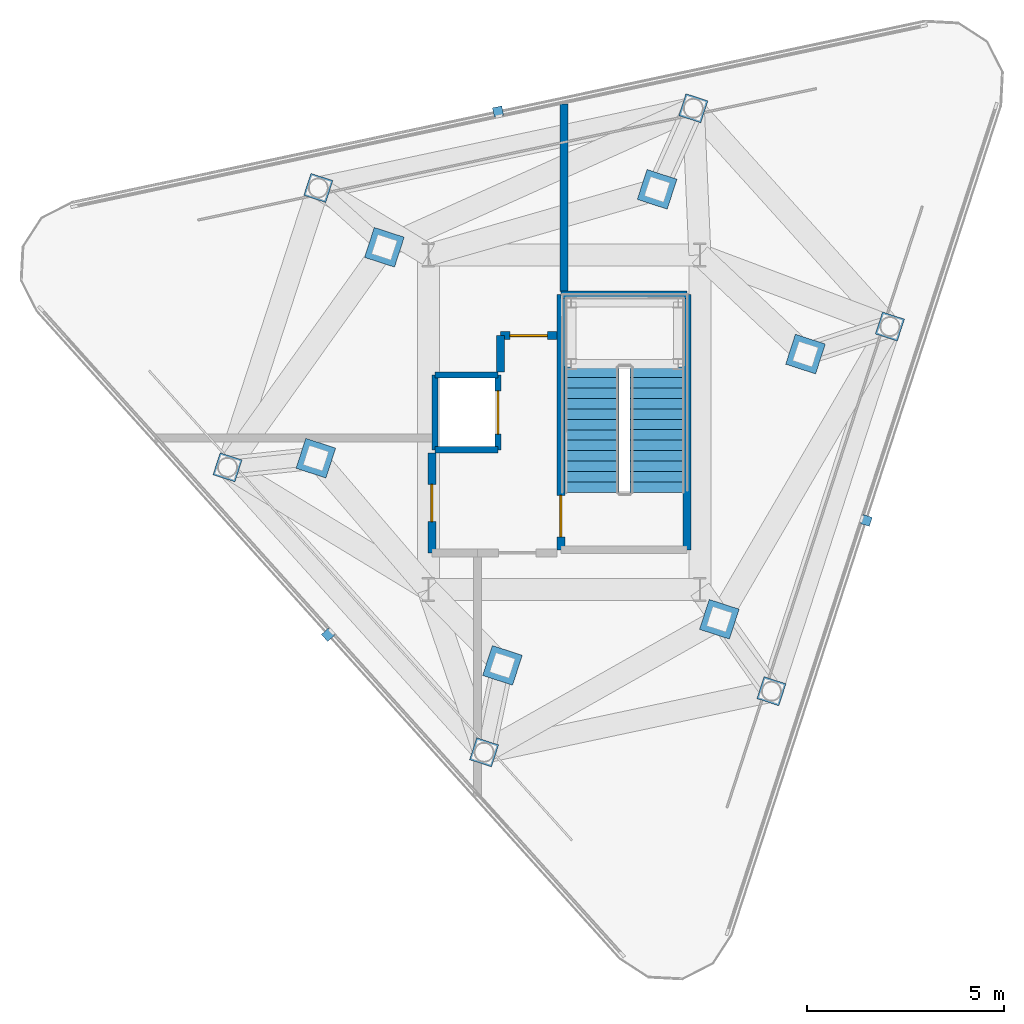
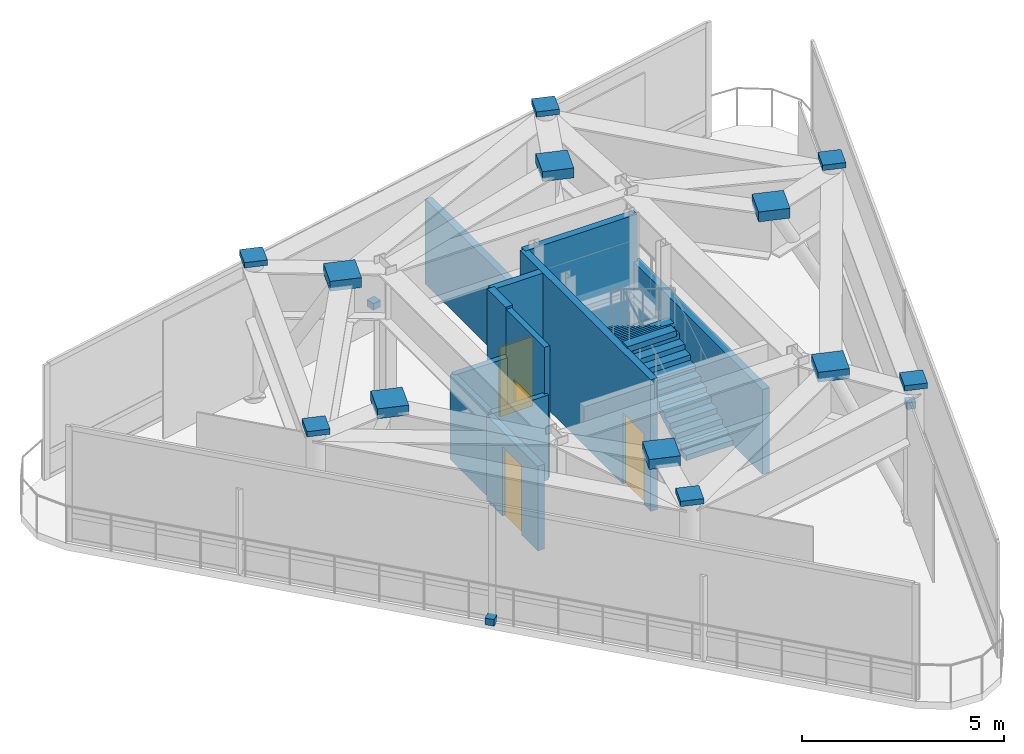
# One storey, part 3 of 4: 15 discrete accessories, 11 walls, 4 doors, 2 stair flights, 4 openings, 1 element without a shape of its own.
"""IFC4 building model written with IfcOpenShell, lengths in metres."""

from ifc_helpers import new_model, si_unit, direction, frame, frame_2d, origin, origin_2d, place, context, subcontext, project, spatial, polyline, rectangle, outline, extrude, material, layer, layer_set, type_object, element, fill, aggregate, save


model = new_model("IFC4")

# Units and contexts
model_context = context("Model", 3, precision=1e-05, world=origin(), true_north=direction((0.0, 1.0)))
body_context = subcontext(model_context, "Body", "Model", "MODEL_VIEW")
ifc_project = project(units=[si_unit("LENGTHUNIT", "METRE"), si_unit("AREAUNIT", "SQUARE_METRE"), si_unit("VOLUMEUNIT", "CUBIC_METRE"), si_unit("PLANEANGLEUNIT", "RADIAN"), si_unit("MASSUNIT", "GRAM", prefix="KILO")], contexts=[model_context])

# Site, building, storey
site_placement = place(None, origin())
site = spatial("IfcSite", under=ifc_project, at=site_placement, CompositionType="ELEMENT")
building_placement = place(site_placement, origin())
building = spatial("IfcBuilding", under=site, at=building_placement, Name="Terralouvre Media Tower", CompositionType="ELEMENT")
storey_placement = place(building_placement, frame((0.0, 0.0, 330.800048828125)))
storey = spatial("IfcBuildingStorey", under=building, at=storey_placement, Name="L85", CompositionType="ELEMENT", Elevation=330.800048828125)

# Walls
ifc_material_1 = material(Name="Fire-rated gypsum board drywall partition")
ifc_layer = layer(ifc_material_1, 0.199951171875, Name="Fire-Rated Shaft and Lobby Partition FW-200")
ifc_layer_set = layer_set([ifc_layer], Name="Fire-rated gypsum board drywall partition")
wall_type = type_object("IfcWallType", Name="Fire-Rated Shaft and Lobby Partition FW-200", PredefinedType="SOLIDWALL", material=ifc_layer_set)
wall_1_placement = place(storey_placement, frame((3.1201171875, -3.239990234375, 0.0), z_axis=(0.0, 0.0, 1.0), x_axis=(0.0, 1.0, 0.0)))
element("IfcWall", 1, at=wall_1_placement, inside=storey, type_object=wall_type, Name="L85 ST05 Stair Shaft Wall E", PredefinedType="SOLIDWALL", context=body_context, shape_type="SweptSolid", body=[
    extrude(rectangle(XDim=6.47998046875, YDim=0.199951171875, at=frame_2d((3.239990234375, 0.0))), origin(), (0.0, 0.0, 1.0), 2.56494140625),
])
wall_2_placement = place(storey_placement, frame((3.1201171875, 3.239990234375, 0.0), z_axis=(0.0, 0.0, 1.0), x_axis=(-1.0, 0.0, 0.0)))
element("IfcWall", 2, at=wall_2_placement, inside=storey, type_object=wall_type, Name="L85 ST05 Stair Shaft Wall N", PredefinedType="SOLIDWALL", context=body_context, shape_type="SweptSolid", body=[
    extrude(rectangle(XDim=3.2001953125, YDim=0.199951171875, at=frame_2d((1.60009765625, 0.0))), origin(), (0.0, 0.0, 1.0), 3.97998046875),
])

# Wall, opening, door
wall_3_placement = place(storey_placement, frame((-0.080078125, 3.239990234375, 0.0), z_axis=(0.0, 0.0, 1.0), x_axis=(0.0, -1.0, 0.0)))
wall_3 = element("IfcWall", 3, at=wall_3_placement, inside=storey, type_object=wall_type, Name="L85 ST05 Stair Shaft Wall W", PredefinedType="SOLIDWALL", context=body_context, shape_type="SweptSolid", body=[
    extrude(rectangle(XDim=6.47998046875, YDim=0.199951171875, at=frame_2d((3.239990234375, 0.0))), origin(), (0.0, 0.0, 1.0), 3.97998046875),
])
opening_1_placement = place(wall_3_placement, frame((5.10009765625, 0.0, 0.0)))
opening_1 = element("IfcOpeningElement", 4, at=opening_1_placement, cuts=wall_3, Name="Opening FD-01-105X215", PredefinedType="OPENING", context=body_context, shape_type="SweptSolid", body=[
    extrude(rectangle(XDim=1.050048828125, YDim=2.14990234375, at=frame_2d((0.52490234375, 1.074951171875))), frame((0.0, 0.10986328125, 0.0), z_axis=(0.0, -1.0, 0.0), x_axis=(1.0, 0.0, 0.0)), (0.0, 0.0, 1.0), 0.219970703125),
])
ifc_material_2 = material(Name="Galvanised steel fire-resisting leaf", Category="steel")
door_type_1 = type_object("IfcDoorType", Name="Stair and Firefighting Lobby Fire Door FD-01 (1050x2150)", OperationType="NOTDEFINED", PredefinedType="DOOR", material=ifc_material_2)
door_1_placement = place(opening_1_placement, origin())
door_1 = element("IfcDoor", 5, at=door_1_placement, inside=storey, type_object=door_type_1, Name="L85 ST05 Pressurised Stair Door", OperationType="SINGLE_SWING_LEFT", OverallHeight=2.14990234375, OverallWidth=1.050048828125, PredefinedType="DOOR", context=body_context, shape_type="SweptSolid", body=[
    extrude(rectangle(XDim=1.050048828125, YDim=2.14990234375, at=frame_2d((0.52490234375, 1.074951171875))), frame((0.0, 0.02490234375, 0.0), z_axis=(0.0, -1.0, 0.0), x_axis=(1.0, 0.0, 0.0)), (0.0, 0.0, 1.0), 0.050048828125),
])
fill(opening_1, door_1)

# Walls
wall_4_placement = place(storey_placement, frame((-3.280029296875, -0.699951171875, 0.0), z_axis=(0.0, 0.0, 1.0), x_axis=(0.0, 1.0, 0.0)))
element("IfcWall", 6, at=wall_4_placement, inside=storey, type_object=wall_type, Name="L85 CSL-01 Lift Shaft Wall W", PredefinedType="SOLIDWALL", context=body_context, shape_type="SweptSolid", body=[
    extrude(rectangle(XDim=1.89990234375, YDim=0.159912109375, at=frame_2d((0.949951171875, 0.0))), origin(), (0.0, 0.0, 1.0), 2.56494140625),
])
for number, where, z_axis, x_axis, name in (
    (7, (-3.280029296875, 1.199951171875, 0.0), (0.0, 0.0, 1.0), (1.0, 0.0, 0.0), "L85 CSL-01 Lift Shaft Wall N"),
    (8, (-1.679931640625, -0.699951171875, 0.0), (0.0, 0.0, 1.0), (-1.0, 0.0, 0.0), "L85 CSL-01 Lift Shaft Wall S"),
):
    element("IfcWall", number, at=place(storey_placement, frame(where, z_axis=z_axis, x_axis=x_axis)), inside=storey, type_object=wall_type, Name=name, PredefinedType="SOLIDWALL", context=body_context, shape_type="SweptSolid", body=[
        extrude(rectangle(XDim=1.60009765625, YDim=0.159912109375, at=frame_2d((0.800048828125, 0.0))), origin(), (0.0, 0.0, 1.0), 2.56494140625),
    ])

# Wall, opening, door
wall_5_placement = place(storey_placement, frame((-1.679931640625, -0.699951171875, 0.0), z_axis=(0.0, 0.0, 1.0), x_axis=(0.0, 1.0, 0.0)))
wall_5 = element("IfcWall", 9, at=wall_5_placement, inside=storey, type_object=wall_type, Name="L85 CSL-01 Lift Shaft Wall E", PredefinedType="SOLIDWALL", context=body_context, shape_type="SweptSolid", body=[
    extrude(rectangle(XDim=1.89990234375, YDim=0.159912109375, at=frame_2d((0.949951171875, 0.0))), origin(), (0.0, 0.0, 1.0), 3.97998046875),
])
opening_2_placement = place(wall_5_placement, frame((0.39990234375, 0.0, 0.0)))
opening_2 = element("IfcOpeningElement", 10, at=opening_2_placement, cuts=wall_5, Name="Opening LD-PL", PredefinedType="OPENING", context=body_context, shape_type="SweptSolid", body=[
    extrude(rectangle(XDim=1.10009765625, YDim=2.10009765625, at=frame_2d((0.550048828125, 1.050048828125))), frame((0.0, 0.08984375, 0.0), z_axis=(0.0, -1.0, 0.0), x_axis=(1.0, 0.0, 0.0)), (0.0, 0.0, 1.0), 0.179931640625),
])
ifc_material_3 = material(Name="Stainless steel 316 handrail and balustrade", Category="steel")
door_type_2 = type_object("IfcDoorType", Name="Passenger Lift Sliding Landing Door LD-PL", OperationType="SLIDING_TO_LEFT", PredefinedType="DOOR", material=ifc_material_3)
door_2_placement = place(opening_2_placement, origin())
door_2 = element("IfcDoor", 11, at=door_2_placement, inside=storey, type_object=door_type_2, Name="L85 Crown Service Lift CSL-01 Landing Door", OperationType="SLIDING_TO_LEFT", OverallHeight=2.10009765625, OverallWidth=1.10009765625, PredefinedType="DOOR", context=body_context, shape_type="SweptSolid", body=[
    extrude(rectangle(XDim=1.10009765625, YDim=2.10009765625, at=frame_2d((0.550048828125, 1.050048828125))), frame((0.0, 0.02490234375, 0.0), z_axis=(0.0, -1.0, 0.0), x_axis=(1.0, 0.0, 0.0)), (0.0, 0.0, 1.0), 0.050048828125),
])
fill(opening_2, door_2)

wall_6_placement = place(storey_placement, frame((-3.360107421875, -0.780029296875, 0.0), z_axis=(0.0, 0.0, 1.0), x_axis=(0.0, -1.0, 0.0)))
wall_6 = element("IfcWall", 12, at=wall_6_placement, inside=storey, type_object=wall_type, Name="L85 Interior Partition 001", PredefinedType="SOLIDWALL", context=body_context, shape_type="SweptSolid", body=[
    extrude(rectangle(XDim=2.5400390625, YDim=0.199951171875, at=frame_2d((1.27001953125, 0.0))), origin(), (0.0, 0.0, 1.0), 2.56494140625),
])
opening_3_placement = place(wall_6_placement, frame((0.794921875, 0.0, 0.0)))
opening_3 = element("IfcOpeningElement", 13, at=opening_3_placement, cuts=wall_6, Name="Opening FD-02-95X210", PredefinedType="OPENING", context=body_context, shape_type="SweptSolid", body=[
    extrude(rectangle(XDim=0.949951171875, YDim=2.10009765625, at=frame_2d((0.47509765625, 1.050048828125))), frame((0.0, 0.10986328125, 0.0), z_axis=(0.0, -1.0, 0.0), x_axis=(1.0, 0.0, 0.0)), (0.0, 0.0, 1.0), 0.219970703125),
])
ifc_material_4 = material(Name="Galvanised steel fire-resisting leaf", Category="steel")
door_type_3 = type_object("IfcDoorType", Name="Plant and Riser Fire Door FD-02 (950x2100)", OperationType="NOTDEFINED", PredefinedType="DOOR", material=ifc_material_4)
door_3_placement = place(opening_3_placement, origin())
door_3 = element("IfcDoor", 14, at=door_3_placement, inside=storey, type_object=door_type_3, Name="L85 L85 Upper Damper Mechanical Equipment Room Door", OperationType="SINGLE_SWING_RIGHT", OverallHeight=2.10009765625, OverallWidth=0.949951171875, PredefinedType="DOOR", context=body_context, shape_type="SweptSolid", body=[
    extrude(rectangle(XDim=0.949951171875, YDim=2.10009765625, at=frame_2d((0.47509765625, 1.050048828125))), frame((0.0, 0.02490234375, 0.0), z_axis=(0.0, -1.0, 0.0), x_axis=(1.0, 0.0, 0.0)), (0.0, 0.0, 1.0), 0.050048828125),
])
fill(opening_3, door_3)

wall_7_placement = place(storey_placement, frame((-0.179931640625, 2.199951171875, 0.0), z_axis=(0.0, 0.0, 1.0), x_axis=(-1.0, 0.0, 0.0)))
wall_7 = element("IfcWall", 15, at=wall_7_placement, inside=storey, type_object=wall_type, Name="L85 Interior Partition 004", PredefinedType="SOLIDWALL", context=body_context, shape_type="SweptSolid", body=[
    extrude(rectangle(XDim=1.440185546875, YDim=0.199951171875, at=frame_2d((0.72021484375, 0.0))), origin(), (0.0, 0.0, 1.0), 3.97998046875),
])
opening_4_placement = place(wall_7_placement, frame((0.2451171875, 0.0, 0.0)))
opening_4 = element("IfcOpeningElement", 16, at=opening_4_placement, cuts=wall_7, Name="Opening FD-02-95X210", PredefinedType="OPENING", context=body_context, shape_type="SweptSolid", body=[
    extrude(rectangle(XDim=0.949951171875, YDim=2.10009765625, at=frame_2d((0.47509765625, 1.050048828125))), frame((0.0, 0.10986328125, 0.0), z_axis=(0.0, -1.0, 0.0), x_axis=(1.0, 0.0, 0.0)), (0.0, 0.0, 1.0), 0.219970703125),
])
door_4_placement = place(opening_4_placement, origin())
door_4 = element("IfcDoor", 17, at=door_4_placement, inside=storey, type_object=door_type_3, Name="L85 L85 Upper Telemetry Mechanical Equipment Room Door", OperationType="SINGLE_SWING_RIGHT", OverallHeight=2.10009765625, OverallWidth=0.949951171875, PredefinedType="DOOR", context=body_context, shape_type="SweptSolid", body=[
    extrude(rectangle(XDim=0.949951171875, YDim=2.10009765625, at=frame_2d((0.47509765625, 1.050048828125))), frame((0.0, 0.02490234375, 0.0), z_axis=(0.0, -1.0, 0.0), x_axis=(1.0, 0.0, 0.0)), (0.0, 0.0, 1.0), 0.050048828125),
])
fill(opening_4, door_4)

# Walls
wall_8_placement = place(storey_placement, frame((-1.6201171875, 2.199951171875, 0.0), z_axis=(0.0, 0.0, 1.0), x_axis=(0.0, -1.0, 0.0)))
element("IfcWall", 18, at=wall_8_placement, inside=storey, type_object=wall_type, Name="L85 Interior Partition 005", PredefinedType="SOLIDWALL", context=body_context, shape_type="SweptSolid", body=[
    extrude(rectangle(XDim=0.919921875, YDim=0.199951171875, at=frame_2d((0.4599609375, 0.0))), origin(), (0.0, 0.0, 1.0), 3.97998046875),
])
wall_9_placement = place(storey_placement, frame((0.0, 8.080078125, 0.0), z_axis=(0.0, 0.0, 1.0), x_axis=(0.0, -1.0, 0.0)))
element("IfcWall", 19, at=wall_9_placement, inside=storey, type_object=wall_type, Name="L85 Interior Partition 008", PredefinedType="SOLIDWALL", context=body_context, shape_type="SweptSolid", body=[
    extrude(rectangle(XDim=4.760009765625, YDim=0.199951171875, at=frame_2d((2.3798828125, 0.0))), origin(), (0.0, 0.0, 1.0), 2.56494140625),
])

# Stair, stair flights
ifc_material_5 = material(Name="Concrete C45/55", Category="concrete")
stair_type = type_object("IfcStairType", Name="Dogleg Stair Assembly ST-05", PredefinedType="HALF_TURN_STAIR", material=ifc_material_5)
stair_placement = place(storey_placement, origin())
stair = element("IfcStair", 20, at=stair_placement, inside=storey, type_object=stair_type, Name="L85 Crown Maintenance Stair ST-05", PredefinedType="HALF_TURN_STAIR")
ifc_material_6 = material(Name="Concrete C45/55", Category="concrete")
stair_flight_type = type_object("IfcStairFlightType", Name="Reinforced Concrete Stair Flight SF-RC1", PredefinedType="STRAIGHT", material=ifc_material_6)
stair_flight_1_placement = place(storey_placement, frame((2.3798828125, -1.780029296875, 0.0), z_axis=(0.0, 0.0, 1.0), x_axis=(0.0, 1.0, 0.0)))
stair_flight_1 = element("IfcStairFlight", 21, at=stair_flight_1_placement, type_object=stair_flight_type, Name="ST-05 flight 1", NumberOfRisers=13, NumberOfTreads=12, PredefinedType="STRAIGHT", RiserHeight=0.161538462, TreadLength=0.265, context=body_context, shape_type="SweptSolid", body=[
    extrude(outline(polyline([(0.0, 0.0), (0.0, 0.16162109375), (0.264892578125, 0.16162109375), (0.264892578125, 0.322998046875), (0.530029296875, 0.322998046875), (0.530029296875, 0.484619140625), (0.794921875, 0.484619140625), (0.794921875, 0.646240234375), (1.06005859375, 0.646240234375), (1.06005859375, 0.8076171875), (1.324951171875, 0.8076171875), (1.324951171875, 0.96923828125), (1.590087890625, 0.96923828125), (1.590087890625, 1.130859375), (1.85498046875, 1.130859375), (1.85498046875, 1.292236328125), (2.1201171875, 1.292236328125), (2.1201171875, 1.453857421875), (2.385009765625, 1.453857421875), (2.385009765625, 1.615478515625), (2.64990234375, 1.615478515625), (2.64990234375, 1.77685546875), (2.9150390625, 1.77685546875), (2.9150390625, 1.9384765625), (3.179931640625, 1.9384765625), (3.179931640625, 2.10009765625), (3.179931640625, 1.762939453125), (0.2880859375, 0.0), (0.0, 0.0)])), frame((0.0, 0.699951171875, 0.0), z_axis=(0.0, -1.0, 0.0), x_axis=(1.0, 0.0, 0.0)), (0.0, 0.0, 1.0), 1.39990234375),
])
stair_flight_2_placement = place(storey_placement, frame((0.699951171875, 1.39990234375, 2.099853515625), z_axis=(0.0, 0.0, 1.0), x_axis=(0.0, -1.0, 0.0)))
stair_flight_2 = element("IfcStairFlight", 22, at=stair_flight_2_placement, type_object=stair_flight_type, Name="ST-05 flight 2", NumberOfRisers=13, NumberOfTreads=12, PredefinedType="STRAIGHT", RiserHeight=0.161538462, TreadLength=0.265, context=body_context, shape_type="SweptSolid", body=[
    extrude(outline(polyline([(0.0, 0.0), (0.0, 0.16162109375), (0.264892578125, 0.16162109375), (0.264892578125, 0.322998046875), (0.530029296875, 0.322998046875), (0.530029296875, 0.484619140625), (0.794921875, 0.484619140625), (0.794921875, 0.646240234375), (1.06005859375, 0.646240234375), (1.06005859375, 0.8076171875), (1.324951171875, 0.8076171875), (1.324951171875, 0.96923828125), (1.590087890625, 0.96923828125), (1.590087890625, 1.130859375), (1.85498046875, 1.130859375), (1.85498046875, 1.292236328125), (2.1201171875, 1.292236328125), (2.1201171875, 1.453857421875), (2.385009765625, 1.453857421875), (2.385009765625, 1.615478515625), (2.64990234375, 1.615478515625), (2.64990234375, 1.77685546875), (2.9150390625, 1.77685546875), (2.9150390625, 1.9384765625), (3.179931640625, 1.9384765625), (3.179931640625, 2.10009765625), (3.179931640625, 1.762939453125), (0.2880859375, 0.0), (0.0, 0.0)])), frame((0.0, 0.699951171875, 0.0), z_axis=(0.0, -1.0, 0.0), x_axis=(1.0, 0.0, 0.0)), (0.0, 0.0, 1.0), 1.39990234375),
])
aggregate(stair, [stair_flight_1, stair_flight_2])

# Discrete accessories
ifc_material_7 = material(Name="Structural steel S460M", Category="steel")
discrete_accessory_type_1 = type_object("IfcDiscreteAccessoryType", Name="Hollow Steel Section Welded End Cap EC-01", PredefinedType="BRACKET", material=ifc_material_7)
for number, where, z_axis, x_axis, name in (
    (23, (5.267578125, -6.8330078125, 4.16015625), (0.0, 0.0, 1.0), (0.309016994375, 0.951056516295, 0.0), "L85 Hollow Column Welded End Cap CC11"),
    (24, (8.27783203125, 2.431884765625, 4.16015625), (0.0, 0.0, 1.0), (0.309016994375, 0.951056516295, 0.0), "L85 Hollow Column Welded End Cap CC12"),
    (25, (3.28369140625, 7.978271484375, 4.16015625), (0.0, 0.0, 1.0), (0.309016994375, 0.951056516295, 0.0), "L85 Hollow Column Welded End Cap CC21"),
    (26, (-6.244873046875, 5.952880859375, 4.16015625), (0.0, 0.0, 1.0), (0.309016994375, 0.951056516295, 0.0), "L85 Hollow Column Welded End Cap CC22"),
    (27, (-8.55126953125, -1.145263671875, 4.16015625), (0.0, 0.0, 1.0), (0.309016994375, 0.951056516295, 0.0), "L85 Hollow Column Welded End Cap CC31"),
    (28, (-2.032958984375, -8.384765625, 4.16015625), (0.0, 0.0, 1.0), (0.309016994375, 0.951056516295, 0.0), "L85 Hollow Column Welded End Cap CC32"),
):
    element("IfcDiscreteAccessory", number, at=place(storey_placement, frame(where, z_axis=z_axis, x_axis=x_axis)), inside=storey, type_object=discrete_accessory_type_1, Name=name, PredefinedType="BRACKET", context=body_context, shape_type="SweptSolid", body=[
        extrude(rectangle(XDim=0.587890625, YDim=0.587890625, at=origin_2d()), origin(), (0.0, 0.0, 1.0), 0.159912109375),
    ])
for number, where, z_axis, x_axis, name in (
    (29, (3.94384765625, -5.005615234375, 3.8701171875), (0.0, 0.0, 1.0), (0.309016994375, 0.951056516295, 0.0), "L85 Crown Rib Top Welded End Cap 13"),
    (30, (6.1328125, 1.731689453125, 3.8701171875), (0.0, 0.0, 1.0), (0.309016994375, 0.951056516295, 0.0), "L85 Crown Rib Top Welded End Cap 14"),
    (31, (2.363037109375, 5.918212890625, 3.8701171875), (0.0, 0.0, 1.0), (0.309016994375, 0.951056516295, 0.0), "L85 Crown Rib Top Welded End Cap 15"),
    (32, (-4.566162109375, 4.445556640625, 3.8701171875), (0.0, 0.0, 1.0), (0.309016994375, 0.951056516295, 0.0), "L85 Crown Rib Top Welded End Cap 16"),
    (33, (-6.306884765625, -0.91259765625, 3.8701171875), (0.0, 0.0, 1.0), (0.309016994375, 0.951056516295, 0.0), "L85 Crown Rib Top Welded End Cap 17"),
    (34, (-1.56689453125, -6.177001953125, 3.8701171875), (0.0, 0.0, 1.0), (0.309016994375, 0.951056516295, 0.0), "L85 Crown Rib Top Welded End Cap 18"),
):
    element("IfcDiscreteAccessory", number, at=place(storey_placement, frame(where, z_axis=z_axis, x_axis=x_axis)), inside=storey, type_object=discrete_accessory_type_1, Name=name, PredefinedType="BRACKET", context=body_context, shape_type="SweptSolid", body=[
        extrude(rectangle(XDim=0.800048828125, YDim=0.800048828125, at=origin_2d()), origin(), (0.0, 0.0, 1.0), 0.300048828125),
    ])
ifc_material_8 = material(Name="Anodised extruded aluminium 6063-T6", Category="aluminium")
discrete_accessory_type_2 = type_object("IfcDiscreteAccessoryType", Name="Mullion Stand-Off Baguette Fixing Bracket BK-01", PredefinedType="BRACKET", material=ifc_material_8)
for number, where, z_axis, x_axis, name in (
    (35, (7.67626953125, -2.494140625, -0.02001953125), (0.0, 0.0, 1.0), (0.3090168573, 0.951056560834, 0.0), "L85 Crown Panel Base Bracket F0"),
    (36, (-1.67822265625, 7.894775390625, -0.02001953125), (0.0, 0.0, 1.0), (-0.978147555117, -0.207911905429, 0.0), "L85 Crown Panel Base Bracket F1"),
    (37, (-5.998046875, -5.400634765625, -0.02001953125), (0.0, 0.0, 1.0), (0.66913073697, -0.743144707875, 0.0), "L85 Crown Panel Base Bracket F2"),
):
    element("IfcDiscreteAccessory", number, at=place(storey_placement, frame(where, z_axis=z_axis, x_axis=x_axis)), inside=storey, type_object=discrete_accessory_type_2, Name=name, PredefinedType="BRACKET", context=body_context, shape_type="SweptSolid", body=[
        extrude(rectangle(XDim=0.239990234375, YDim=0.239990234375, at=origin_2d()), origin(), (0.0, 0.0, 1.0), 0.199951171875),
    ])

save(model, "model.ifc")
